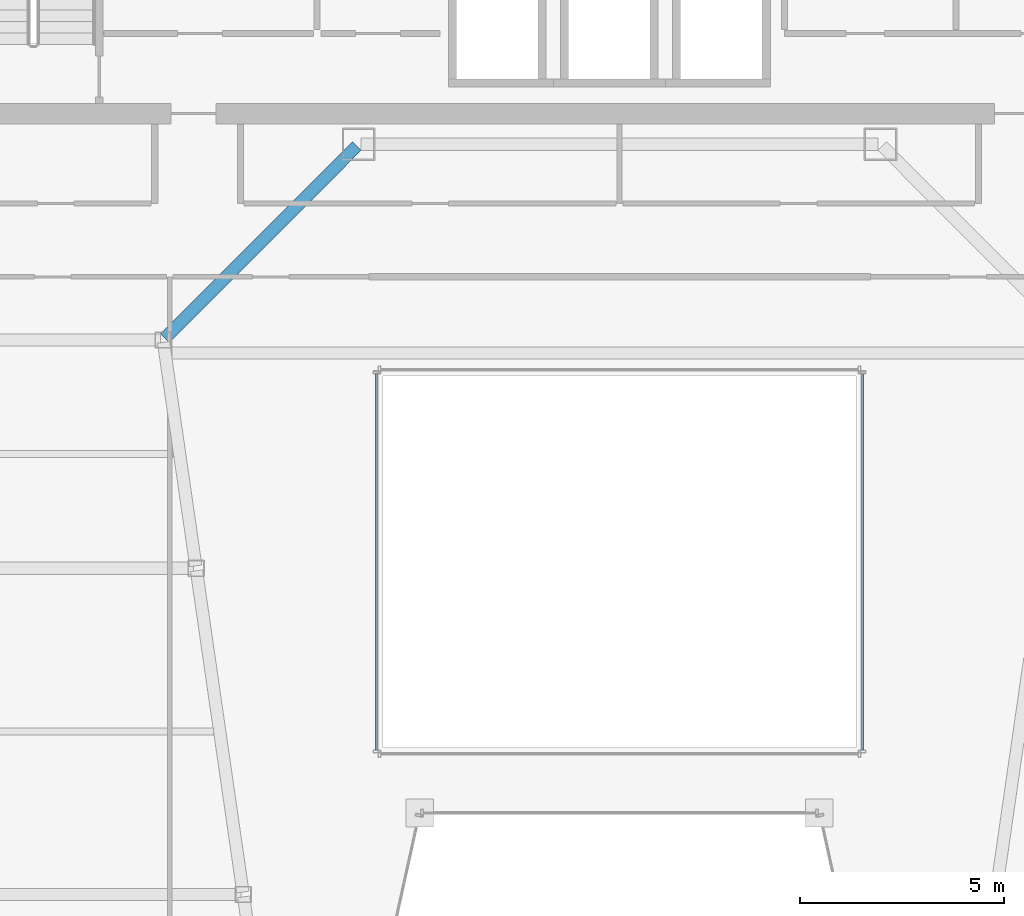
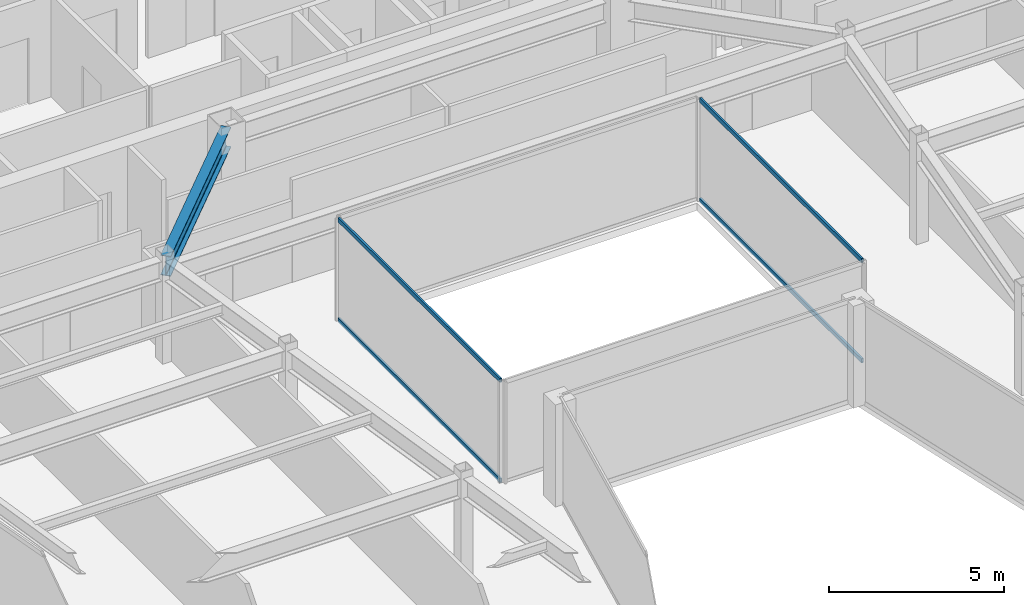
# One storey, part 12 of 36: 4 members, 1 beam, 2 elements without a shape of their own.
"""IFC4 building model written with IfcOpenShell, lengths in metres."""

import ifcopenshell
import ifcopenshell.guid

model = None  # the IFC model being written
_history = None  # IfcOwnerHistory: only IFC2X3 demands one
_inside = {}  # id of a spatial element -> (the spatial element, [elements in it])
_under = {}  # id of a project, library or spatial element -> (it, [spatial elements below it])
_declared = {}  # id of a project -> (the project, [libraries it declares])
_typed = {}  # id of a type object -> (the type object, [elements of that type])
_made_of = {}  # id of a material, layer set ... -> (it, [elements and type objects made of it])


def new_model(schema):
    """Start an empty IFC model of exactly this schema.

    Asked for "IFC4X3", IfcOpenShell would pick the latest addendum, in which some entities
    have other attributes; the version numbers below select the first issue.
    IFC2X3 requires an IfcOwnerHistory on every rooted entity: one is made here for all.
    """
    global model, _history
    if schema == "IFC4X3":
        model = ifcopenshell.file(schema_version=(4, 3, 0, 0))
    else:
        model = ifcopenshell.file(schema=schema)
    _inside.clear()
    _under.clear()
    _declared.clear()
    _typed.clear()
    _made_of.clear()
    _history = None
    if model.schema == "IFC2X3":
        org = make("IfcOrganization", Name="unknown")
        user = make(
            "IfcPersonAndOrganization",
            ThePerson=make("IfcPerson", FamilyName="unknown"),
            TheOrganization=org,
        )
        app = make(
            "IfcApplication",
            ApplicationDeveloper=org,
            Version="unknown",
            ApplicationFullName="unknown",
            ApplicationIdentifier="unknown",
        )
        _history = make(
            "IfcOwnerHistory",
            OwningUser=user,
            OwningApplication=app,
            ChangeAction="ADDED",
            CreationDate=0,
        )
    return model


def make(cls, **values):
    """One entity of the class cls with the attributes given. An attribute that is None is left unset."""
    return model.create_entity(
        cls, **{name: value for name, value in values.items() if value is not None}
    )


def rooted(cls, **values):
    """An entity with a GlobalId (a new one), such as an element, a storey or a relation."""
    return make(cls, GlobalId=ifcopenshell.guid.new(), OwnerHistory=_history, **values)


def si_unit(unit_type, name, prefix=None):
    """IfcSIUnit, for example si_unit("LENGTHUNIT", "METRE", prefix="MILLI")."""
    return make("IfcSIUnit", UnitType=unit_type, Prefix=prefix, Name=name)


def assignment(units):
    """IfcUnitAssignment: the units of a project."""
    return None if units is None else make("IfcUnitAssignment", Units=units)


def point(xyz):
    """IfcCartesianPoint."""
    return None if xyz is None else make("IfcCartesianPoint", Coordinates=xyz)


def direction(xyz):
    """IfcDirection."""
    return None if xyz is None else make("IfcDirection", DirectionRatios=xyz)


def frame(location, z_axis=None, x_axis=None):
    """IfcAxis2Placement3D, a coordinate frame: its origin and axes. An axis left out is left unset."""
    return make(
        "IfcAxis2Placement3D",
        Location=point(location),
        Axis=direction(z_axis),
        RefDirection=direction(x_axis),
    )


def frame_2d(location, x_axis=None):
    """IfcAxis2Placement2D, a coordinate frame in the plane: its origin and x axis."""
    return make(
        "IfcAxis2Placement2D", Location=point(location), RefDirection=direction(x_axis)
    )


def origin():
    """The frame at (0, 0, 0) with its axes left unset."""
    return frame((0.0, 0.0, 0.0))


def origin_2d():
    """The frame at (0, 0) in the plane with its x axis left unset."""
    return frame_2d((0.0, 0.0))


def place(relative_to, where):
    """IfcLocalPlacement: puts the frame where relative to a parent placement (None: the world)."""
    return make(
        "IfcLocalPlacement", PlacementRelTo=relative_to, RelativePlacement=where
    )


def context(
    kind, dimensions, precision=None, world=None, true_north=None, identifier=None
):
    """IfcGeometricRepresentationContext, for example the 3D "Model" context."""
    return make(
        "IfcGeometricRepresentationContext",
        ContextIdentifier=identifier,
        ContextType=kind,
        CoordinateSpaceDimension=dimensions,
        Precision=precision,
        WorldCoordinateSystem=world,
        TrueNorth=true_north,
    )


def subcontext(parent, identifier, kind, view, scale=None):
    """IfcGeometricRepresentationSubContext, for example "Body" below "Model"."""
    return make(
        "IfcGeometricRepresentationSubContext",
        ContextIdentifier=identifier,
        ContextType=kind,
        ParentContext=parent,
        TargetScale=scale,
        TargetView=view,
    )


def project(units=None, contexts=None):
    """IfcProject with its units and contexts."""
    return rooted(
        "IfcProject",
        Name="project",
        RepresentationContexts=contexts,
        UnitsInContext=assignment(units),
    )


def spatial(cls, under=None, at=None, **own):
    """A site, building, storey or space (cls), placed at a placement, below another one or the project."""
    s = rooted(cls, ObjectPlacement=at, **own)
    if under is not None:
        _under.setdefault(under.id(), (under, []))[1].append(s)
    return s


def profile(cls, at=None, kind="AREA", **sizes):
    """A parametric profile (cls). Its sizes go by their IFC names, for example OverallWidth=200.0."""
    return make(cls, ProfileType=kind, Position=at, **sizes)


def hollow_rectangle(**sizes):
    """IfcRectangleHollowProfileDef."""
    return profile("IfcRectangleHollowProfileDef", **sizes)


def i_section(**sizes):
    """IfcIShapeProfileDef."""
    return profile("IfcIShapeProfileDef", **sizes)


def extrude(swept, where, along, depth):
    """IfcExtrudedAreaSolid: the profile swept, set in the frame where, extruded along a direction by depth."""
    return make(
        "IfcExtrudedAreaSolid",
        SweptArea=swept,
        Position=where,
        ExtrudedDirection=direction(along),
        Depth=depth,
    )


def shape(context_of_items, identifier, shape_type, items):
    """IfcShapeRepresentation: the items that make up one representation, for example the "Body"."""
    return make(
        "IfcShapeRepresentation",
        ContextOfItems=context_of_items,
        RepresentationIdentifier=identifier,
        RepresentationType=shape_type,
        Items=items,
    )


def material(Name=None, Category=None):
    """IfcMaterial."""
    return make("IfcMaterial", Name=Name, Category=Category)


def material_profile(
    of_material, cross_section, Name=None, Category=None, Priority=None
):
    """IfcMaterialProfile: a cross section and its material."""
    return make(
        "IfcMaterialProfile",
        Name=Name,
        Material=of_material,
        Profile=cross_section,
        Priority=Priority,
        Category=Category,
    )


def profile_set(profiles, Name=None, composite=None):
    """IfcMaterialProfileSet."""
    return make(
        "IfcMaterialProfileSet",
        Name=Name,
        MaterialProfiles=profiles,
        CompositeProfile=composite,
    )


def made_of(thing, what):
    """Note that an element or type object is made of a material, layer set ...; save() writes the relation."""
    if what is not None:
        _made_of.setdefault(what.id(), (what, []))[1].append(thing)
    return thing


def type_object(cls, material=None, **own):
    """A type object (cls), such as IfcWallType, which elements share."""
    return made_of(rooted(cls, **own), material)


def element(
    cls,
    number,
    at=None,
    inside=None,
    cuts=None,
    type_object=None,
    material=None,
    context=None,
    identifier="Body",
    shape_type=None,
    held_by="IfcProductDefinitionShape",
    body=None,
    shapes=None,
    **own,
):
    """One element of the class cls, such as IfcWall. Its Tag is "e" and its number.

    at: its placement. inside: the storey or other place that contains it. cuts: it is an
    opening in that element (IfcRelVoidsElement). A single representation is given by context,
    identifier, shape_type and body (its items); several are given by shapes. held_by: the class
    of the entity that holds the representations. save() writes the other relations.
    """
    e = rooted(cls, Tag="e%d" % number, ObjectPlacement=at, **own)
    if body is not None:
        shapes = [shape(context, identifier, shape_type, body)]
    if shapes is not None:
        e.Representation = make(held_by, Representations=shapes)
    if inside is not None:
        _inside.setdefault(inside.id(), (inside, []))[1].append(e)
    if cuts is not None:
        rooted(
            "IfcRelVoidsElement", RelatingBuildingElement=cuts, RelatedOpeningElement=e
        )
    if type_object is not None:
        _typed.setdefault(type_object.id(), (type_object, []))[1].append(e)
    return made_of(e, material)


def aggregate(whole, parts):
    """IfcRelAggregates: a whole, such as a stair, and the parts it consists of."""
    return rooted("IfcRelAggregates", RelatingObject=whole, RelatedObjects=parts)


def save(model, path):
    """Write the relations noted so far, then the file.

    IfcRelAggregates (storeys below a building ...), IfcRelContainedInSpatialStructure (elements
    in a storey), IfcRelDefinesByType, IfcRelAssociatesMaterial and IfcRelDeclares: one each for
    every whole, place, type object, material and project.
    """
    for whole, parts in _under.values():
        aggregate(whole, parts)
    for where, things in _inside.values():
        rooted(
            "IfcRelContainedInSpatialStructure",
            RelatedElements=things,
            RelatingStructure=where,
        )
    for kind, things in _typed.values():
        rooted("IfcRelDefinesByType", RelatedObjects=things, RelatingType=kind)
    for what, things in _made_of.values():
        rooted("IfcRelAssociatesMaterial", RelatedObjects=things, RelatingMaterial=what)
    for by, libraries in _declared.values():
        rooted("IfcRelDeclares", RelatingContext=by, RelatedDefinitions=libraries)
    model.write(path)


model = new_model("IFC4")

# Units and contexts
model_context = context("Model", 3, precision=1e-05, world=origin(), true_north=direction((0.0, 1.0)))
body_context = subcontext(model_context, "Body", "Model", "MODEL_VIEW")
ifc_project = project(units=[si_unit("LENGTHUNIT", "METRE"), si_unit("AREAUNIT", "SQUARE_METRE"), si_unit("VOLUMEUNIT", "CUBIC_METRE"), si_unit("PLANEANGLEUNIT", "RADIAN"), si_unit("MASSUNIT", "GRAM", prefix="KILO")], contexts=[model_context])

# Site, building, storey
site_placement = place(None, origin())
site = spatial("IfcSite", under=ifc_project, at=site_placement, CompositionType="ELEMENT")
building_placement = place(site_placement, origin())
building = spatial("IfcBuilding", under=site, at=building_placement, Name="Saevonmaru Cultural Tower", CompositionType="ELEMENT")
storey_placement = place(building_placement, frame((0.0, 0.0, 186.60009765625)))
storey = spatial("IfcBuildingStorey", under=building, at=storey_placement, Name="L42", CompositionType="ELEMENT", Elevation=186.60009765625)

# Beam
ifc_material_1 = material(Name="Steel SM355", Category="steel")
ifc_material_profile_1 = material_profile(ifc_material_1, i_section(OverallWidth=0.300048828125, OverallDepth=0.699951171875, WebThickness=0.012939453125, FlangeThickness=0.02392578125, FilletRadius=0.02587890625, at=origin_2d()), Name="H-700x300x13x24")
ifc_profile_set_1 = profile_set([ifc_material_profile_1], Name="Steel SM355")
beam_type = type_object("IfcBeamType", Name="BM-G-H700", PredefinedType="BEAM", material=ifc_profile_set_1)
beam_placement = place(storey_placement, frame((18.850341796875, 37.642578125, 3.199951171875), z_axis=(0.706538566564, 0.707674539572, 0.0), x_axis=(-0.707674539572, 0.706538566564, 0.0)))
element("IfcBeam", 1, at=beam_placement, inside=storey, type_object=beam_type, Name="L42 West Atrium Girder 4", PredefinedType="BEAM", context=body_context, shape_type="SweptSolid", body=[
    extrude(i_section(OverallWidth=0.300048828125, OverallDepth=0.699951171875, WebThickness=0.012939453125, FlangeThickness=0.02392578125, FilletRadius=0.02587890625, at=origin_2d()), origin(), (0.0, 0.0, 1.0), 6.662353515625),
])

# Curtain wall, members
ifc_material_2 = material(Name="Satin Bronze Anodised Aluminium", Category="aluminium")
curtain_wall_type = type_object("IfcCurtainWallType", Name="CW-ATR-GLZ", PredefinedType="NOTDEFINED", material=ifc_material_2)
curtain_wall_1_placement = place(storey_placement, origin())
curtain_wall_1 = element("IfcCurtainWall", 2, at=curtain_wall_1_placement, inside=storey, type_object=curtain_wall_type, Name="L42 Vertical Atrium Glazed Smoke Screen 2", PredefinedType="NOTDEFINED")
ifc_material_profile_2 = material_profile(ifc_material_2, hollow_rectangle(XDim=0.06494140625, YDim=0.14990234375, WallThickness=0.00390625, at=origin_2d()), Name="ALU-TRAN-150x65x4")
ifc_profile_set_2 = profile_set([ifc_material_profile_2], Name="Satin Bronze Anodised Aluminium")
member_type = type_object("IfcMemberType", Name="TR-CW-INT-150x65", PredefinedType="USERDEFINED", material=ifc_profile_set_2)
member_1_placement = place(storey_placement, frame((35.949951171875, 27.54248046875, 0.032470703125), z_axis=(0.0, 1.0, 0.0), x_axis=(-1.0, 0.0, 0.0)))
member_1 = element("IfcMember", 3, at=member_1_placement, type_object=member_type, Name="CW-ATR-L42-2 transom 1.1", ObjectType="TRANSOM", PredefinedType="USERDEFINED", context=body_context, shape_type="SweptSolid", body=[
    extrude(hollow_rectangle(XDim=0.06494140625, YDim=0.14990234375, WallThickness=0.00390625, at=origin_2d()), origin(), (0.0, 0.0, 1.0), 9.235107421875),
])
member_2_placement = place(storey_placement, frame((35.949951171875, 27.54248046875, 3.517333984375), z_axis=(0.0, 1.0, 0.0), x_axis=(-1.0, 0.0, 0.0)))
member_2 = element("IfcMember", 4, at=member_2_placement, type_object=member_type, Name="CW-ATR-L42-2 transom 1.2", ObjectType="TRANSOM", PredefinedType="USERDEFINED", context=body_context, shape_type="SweptSolid", body=[
    extrude(hollow_rectangle(XDim=0.06494140625, YDim=0.14990234375, WallThickness=0.00390625, at=origin_2d()), origin(), (0.0, 0.0, 1.0), 9.235107421875),
])
aggregate(curtain_wall_1, [member_1, member_2])

curtain_wall_2_placement = place(storey_placement, origin())
curtain_wall_2 = element("IfcCurtainWall", 5, at=curtain_wall_2_placement, inside=storey, type_object=curtain_wall_type, Name="L42 Vertical Atrium Glazed Smoke Screen 4", PredefinedType="NOTDEFINED")
member_3_placement = place(storey_placement, frame((24.050048828125, 36.777587890625, 0.032470703125), z_axis=(0.0, -1.0, 0.0), x_axis=(1.0, 0.0, 0.0)))
member_3 = element("IfcMember", 6, at=member_3_placement, type_object=member_type, Name="CW-ATR-L42-4 transom 1.1", ObjectType="TRANSOM", PredefinedType="USERDEFINED", context=body_context, shape_type="SweptSolid", body=[
    extrude(hollow_rectangle(XDim=0.06494140625, YDim=0.14990234375, WallThickness=0.00390625, at=origin_2d()), origin(), (0.0, 0.0, 1.0), 9.235107421875),
])
member_4_placement = place(storey_placement, frame((24.050048828125, 36.777587890625, 3.517333984375), z_axis=(0.0, -1.0, 0.0), x_axis=(1.0, 0.0, 0.0)))
member_4 = element("IfcMember", 7, at=member_4_placement, type_object=member_type, Name="CW-ATR-L42-4 transom 1.2", ObjectType="TRANSOM", PredefinedType="USERDEFINED", context=body_context, shape_type="SweptSolid", body=[
    extrude(hollow_rectangle(XDim=0.06494140625, YDim=0.14990234375, WallThickness=0.00390625, at=origin_2d()), origin(), (0.0, 0.0, 1.0), 9.235107421875),
])
aggregate(curtain_wall_2, [member_3, member_4])

save(model, "model.ifc")
